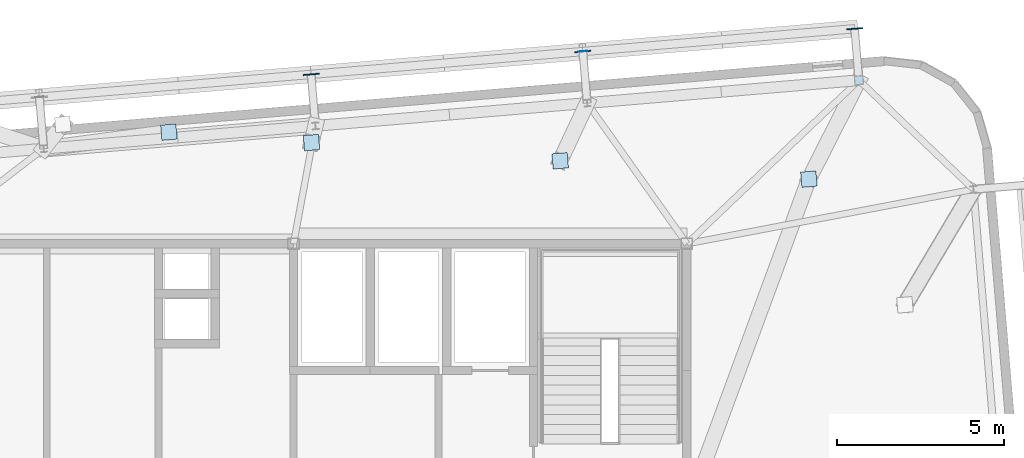
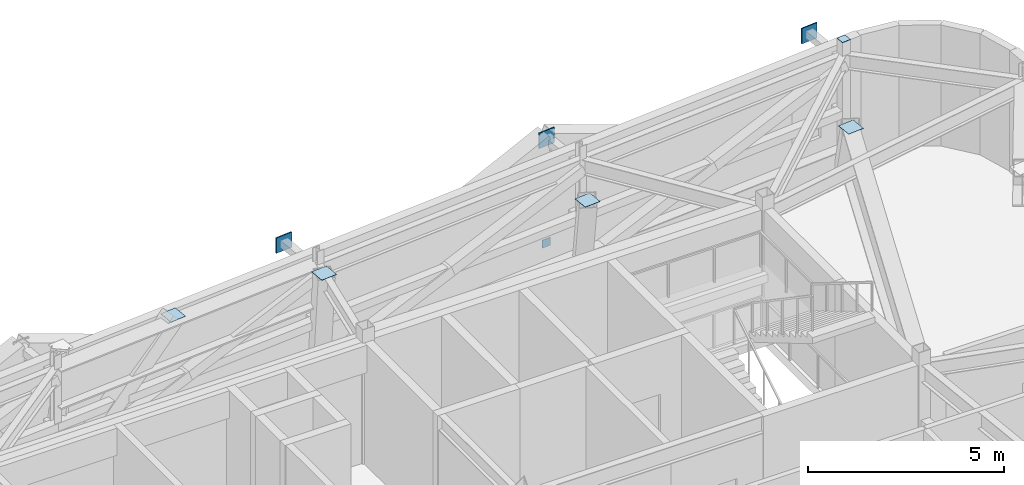
# One storey, part 21 of 26: 9 plates.
"""IFC4 building model written with IfcOpenShell, lengths in metres."""

from ifc_helpers import new_model, si_unit, direction, frame, origin, origin_2d, place, context, subcontext, project, spatial, rectangle, extrude, source, transform, mapped, material, layer, layer_set, type_object, element, save


model = new_model("IFC4")

# Units and contexts
model_context = context("Model", 3, precision=1e-05, world=origin(), true_north=direction((0.0, 1.0)))
body_context = subcontext(model_context, "Body", "Model", "MODEL_VIEW")
ifc_project = project(units=[si_unit("LENGTHUNIT", "METRE"), si_unit("AREAUNIT", "SQUARE_METRE"), si_unit("VOLUMEUNIT", "CUBIC_METRE"), si_unit("PLANEANGLEUNIT", "RADIAN"), si_unit("MASSUNIT", "GRAM", prefix="KILO")], contexts=[model_context])

# Site, building, storey
site_placement = place(None, origin())
site = spatial("IfcSite", under=ifc_project, at=site_placement, CompositionType="ELEMENT")
building_placement = place(site_placement, origin())
building = spatial("IfcBuilding", under=site, at=building_placement, Name="Taldren Reach Tower", CompositionType="ELEMENT")
storey_placement = place(building_placement, frame((0.0, 0.0, 207.199951171875)))
storey = spatial("IfcBuildingStorey", under=building, at=storey_placement, Name="L63", CompositionType="ELEMENT", Elevation=207.199951171875)

# Plates
ifc_material_1 = material(Name="Steel Gr 350 (C350L0)", Category="steel")
ifc_layer_1 = layer(ifc_material_1, 0.011962890625)
ifc_layer_set_1 = layer_set([ifc_layer_1], Name="Steel Gr 350 (C350L0)")
plate_type_1 = type_object("IfcPlateType", Name="PL-CAP-250", PredefinedType="SHEET", material=ifc_layer_set_1)
shared_shape_1 = source(origin(), body_context, "Body", "SweptSolid", [
    extrude(rectangle(XDim=0.25, YDim=0.011962890625, at=origin_2d()), origin(), (0.0, 0.0, 1.0), 0.25),
])
plate_1_placement = place(storey_placement, frame((47.87890625, 37.77197265625, 0.094970703125), z_axis=(0.0, 0.0, 1.0), x_axis=(0.99649285925, 0.083677843332, 0.0)))
element("IfcPlate", 1, at=plate_1_placement, inside=storey, type_object=plate_type_1, Name="Tie strut end cap plate B4-N5 L63", PredefinedType="SHEET", context=body_context, shape_type="MappedRepresentation", body=[
    mapped(shared_shape_1, transform((0.0, 0.0, 0.0), scale=1.0)),
])
ifc_material_2 = material(Name="Steel Gr 450 (C450L0)", Category="steel")
ifc_layer_2 = layer(ifc_material_2, 0.011962890625)
ifc_layer_set_2 = layer_set([ifc_layer_2], Name="Steel Gr 450 (C450L0)")
plate_type_2 = type_object("IfcPlateType", Name="PL-CAP-460", PredefinedType="SHEET", material=ifc_layer_set_2)
shared_shape_2 = source(origin(), body_context, "Body", "SweptSolid", [
    extrude(rectangle(XDim=0.4599609375, YDim=0.4599609375, at=origin_2d()), origin(), (0.0, 0.0, 1.0), 0.011962890625),
])
for number, where, z_axis, x_axis, name in (
    (2, (39.739501953125, 35.035400390625, 3.76806640625), (0.0, 0.0, 1.0), (0.99649285925, 0.083677843332, 0.0), "Transfer strut end cap plate TS-B5-N4 L63"),
    (3, (47.199462890625, 34.487548828125, 3.76806640625), (0.0, 0.0, 1.0), (0.99649285925, 0.083677843332, 0.0), "Transfer strut end cap plate TS-B5-N5 L63"),
    (4, (54.659423828125, 33.939697265625, 3.76806640625), (0.0, 0.0, 1.0), (0.99649285925, 0.083677843332, 0.0), "Transfer strut end cap plate TS-B5-N6 L63"),
    (5, (35.4609375, 35.349609375, 3.76806640625), (0.0, 0.0, 1.0), (0.99649285925, 0.083677843332, 0.0), "Transfer strut end cap plate TS-B5-PJN2 L63"),
):
    element("IfcPlate", number, at=place(storey_placement, frame(where, z_axis=z_axis, x_axis=x_axis)), inside=storey, type_object=plate_type_2, Name=name, PredefinedType="SHEET", context=body_context, shape_type="MappedRepresentation", body=[
        mapped(shared_shape_2, transform((0.0, 0.0, 0.0), scale=1.0)),
    ])
ifc_layer_3 = layer(ifc_material_2, 0.031982421875)
ifc_layer_set_3 = layer_set([ifc_layer_3], Name="Steel Gr 450 (C450L0)")
plate_type_3 = type_object("IfcPlateType", Name="PL-GUSSET-32", PredefinedType="SHEET", material=ifc_layer_set_3)
shared_shape_3 = source(origin(), body_context, "Body", "SweptSolid", [
    extrude(rectangle(XDim=0.47998046875, YDim=0.031982421875, at=origin_2d()), origin(), (0.0, 0.0, 1.0), 0.47998046875),
])
for number, where, z_axis, x_axis, name in (
    (6, (39.72802734375, 37.08154296875, 3.260009765625), (0.0, 0.0, 1.0), (0.99649285925, 0.083677843332, 0.0), "Exoskeleton star-node gusset plate B4-N4 L63"),
    (7, (47.87939453125, 37.76611328125, 3.260009765625), (0.0, 0.0, 1.0), (0.99649285925, 0.083677843332, 0.0), "Exoskeleton star-node gusset plate B4-N5 L63"),
    (8, (56.03076171875, 38.450439453125, 3.260009765625), (0.0, 0.0, 1.0), (0.99649285925, 0.083677843332, 0.0), "Exoskeleton star-node gusset plate B4-N6 L63"),
):
    element("IfcPlate", number, at=place(storey_placement, frame(where, z_axis=z_axis, x_axis=x_axis)), inside=storey, type_object=plate_type_3, Name=name, PredefinedType="SHEET", context=body_context, shape_type="MappedRepresentation", body=[
        mapped(shared_shape_3, transform((0.0, 0.0, 0.0), scale=1.0)),
    ])
shared_shape_4 = source(origin(), body_context, "Body", "SweptSolid", [
    extrude(rectangle(XDim=0.25, YDim=0.25, at=origin_2d()), origin(), (0.0, 0.0, 1.0), 0.011962890625),
])
plate_2_placement = place(storey_placement, frame((56.160400390625, 36.906005859375, 4.2001953125), z_axis=(0.0, 0.0, 1.0), x_axis=(0.99649285925, 0.083677843332, 0.0)))
element("IfcPlate", 9, at=plate_2_placement, inside=storey, type_object=plate_type_1, Name="Perimeter column end cap plate B4-N6 L63", PredefinedType="SHEET", context=body_context, shape_type="MappedRepresentation", body=[
    mapped(shared_shape_4, transform((0.0, 0.0, 0.0), scale=1.0)),
])

save(model, "model.ifc")
